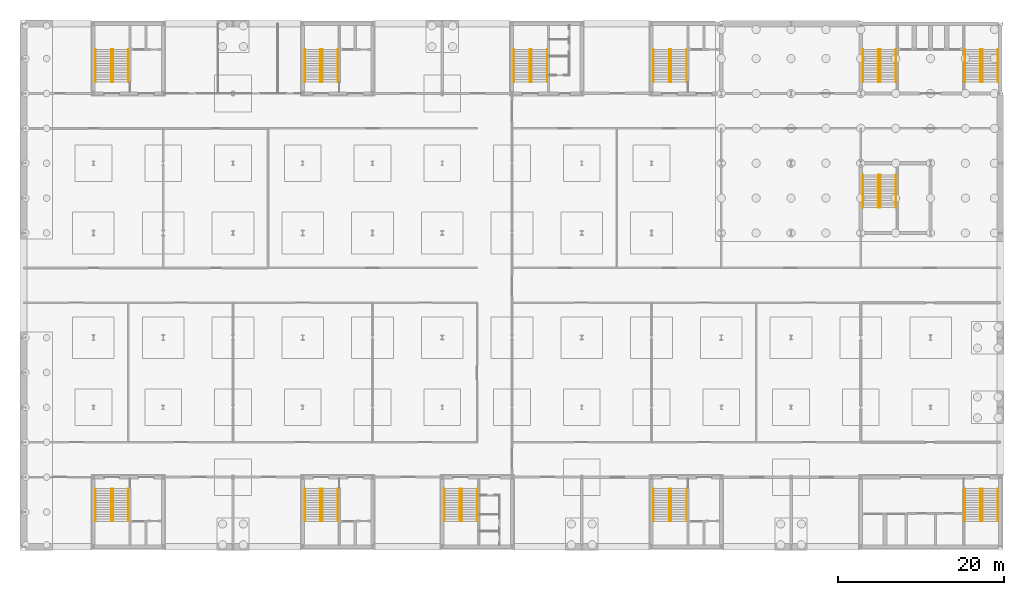
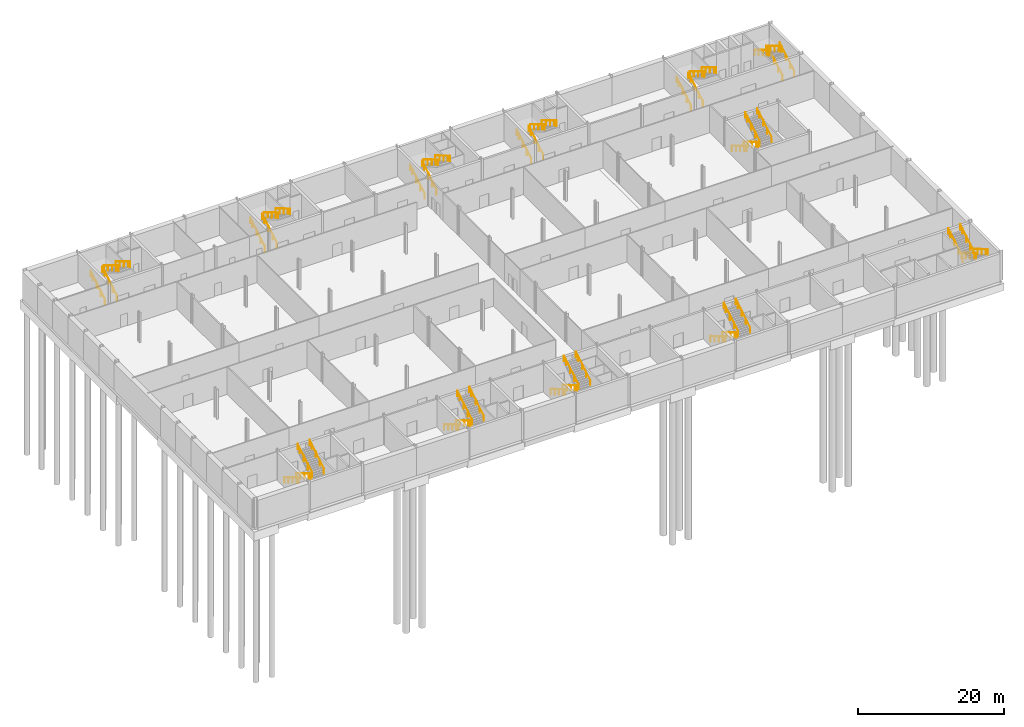
# One storey, part 22 of 22: 48 railings.
"""IFC4 building model written with IfcOpenShell, lengths in metres."""

from ifc_helpers import new_model, si_unit, direction, frame, origin, origin_2d, place, context, subcontext, project, spatial, circle, extrude, material, type_object, element, save


model = new_model("IFC4")

# Units and contexts
model_context = context("Model", 3, precision=1e-05, world=origin(), true_north=direction((0.0, 1.0)))
body_context = subcontext(model_context, "Body", "Model", "MODEL_VIEW")
ifc_project = project(units=[si_unit("LENGTHUNIT", "METRE"), si_unit("AREAUNIT", "SQUARE_METRE"), si_unit("VOLUMEUNIT", "CUBIC_METRE"), si_unit("PLANEANGLEUNIT", "RADIAN"), si_unit("MASSUNIT", "GRAM", prefix="KILO")], contexts=[model_context])

# Site, building, storey
site_placement = place(None, origin())
site = spatial("IfcSite", under=ifc_project, at=site_placement, CompositionType="ELEMENT")
building_placement = place(site_placement, origin())
building = spatial("IfcBuilding", under=site, at=building_placement, Name="Galleria Vessillo Department Store", CompositionType="ELEMENT")
storey_placement = place(building_placement, frame((0.0, 0.0, -9.89990234375)))
storey = spatial("IfcBuildingStorey", under=building, at=storey_placement, Name="B2", CompositionType="ELEMENT", Elevation=-9.89990234375)

# Railings
ifc_material = material(Name="Stainless steel tube", Category="steel")
railing_type = type_object("IfcRailingType", Name="Stair handrail steel tube 48 mm", PredefinedType="HANDRAIL", material=ifc_material)
for number, where, name in (
    (1, (10.5400390625, 7.0, 0.166748046875), "Handrail ST1 B2 flight 1A"),
    (2, (8.66015625, 7.0, 0.166748046875), "Handrail ST1 B2 flight 1B"),
):
    element("IfcRailing", number, at=place(storey_placement, frame(where)), inside=storey, type_object=railing_type, Name=name, PredefinedType="HANDRAIL", context=body_context, shape_type="SweptSolid", body=[
        extrude(circle(Radius=0.02392578125, at=origin_2d()), frame((0.0, 0.0, 0.89599609375), z_axis=(0.0, -0.859371278866, 0.511352134112), x_axis=(1.0, 0.0, 0.0)), (0.0, 0.0, 1.0), 1.303466796875),
        extrude(circle(Radius=0.02392578125, at=origin_2d()), frame((0.0, -1.1201171875, 1.5625), z_axis=(0.0, -0.859239953289, 0.511572773584), x_axis=(1.0, 0.0, 0.0)), (0.0, 0.0, 1.0), 1.30322265625),
        extrude(circle(Radius=0.02392578125, at=origin_2d()), frame((0.0, -2.239990234375, 2.22900390625), z_axis=(0.0, -0.859288964532, 0.511490445104), x_axis=(1.0, 0.0, 0.0)), (0.0, 0.0, 1.0), 1.303466796875),
        extrude(circle(Radius=0.02392578125, at=origin_2d()), frame((0.0, -3.360107421875, 2.89599609375), z_axis=(0.0, -0.859273276328, 0.511516799908), x_axis=(1.0, 0.0, 0.0)), (0.0, 0.0, 1.0), 0.651611328125),
        extrude(circle(Radius=0.02099609375, at=origin_2d()), origin(), (0.0, 0.0, 1.0), 0.871826171875),
        extrude(circle(Radius=0.02099609375, at=origin_2d()), frame((0.0, -1.1201171875, 0.66650390625)), (0.0, 0.0, 1.0), 0.871826171875),
        extrude(circle(Radius=0.02099609375, at=origin_2d()), frame((0.0, -2.239990234375, 1.333251953125)), (0.0, 0.0, 1.0), 0.871826171875),
        extrude(circle(Radius=0.02099609375, at=origin_2d()), frame((0.0, -3.360107421875, 2.0)), (0.0, 0.0, 1.0), 0.871826171875),
        extrude(circle(Radius=0.02099609375, at=origin_2d()), frame((0.0, -3.919921875, 2.333251953125)), (0.0, 0.0, 1.0), 0.871826171875),
    ])
for number, where, name in (
    (3, (10.760009765625, 3.080078125, 2.666748046875), "Handrail ST1 B2 flight 2A"),
    (4, (12.639892578125, 3.080078125, 2.666748046875), "Handrail ST1 B2 flight 2B"),
    (5, (8.66015625, 56.0, 0.166748046875), "Handrail ST2 B2 flight 1A"),
    (6, (10.5400390625, 56.0, 0.166748046875), "Handrail ST2 B2 flight 1B"),
):
    element("IfcRailing", number, at=place(storey_placement, frame(where)), inside=storey, type_object=railing_type, Name=name, PredefinedType="HANDRAIL", context=body_context, shape_type="SweptSolid", body=[
        extrude(circle(Radius=0.02392578125, at=origin_2d()), frame((0.0, 0.0, 0.89599609375), z_axis=(0.0, 0.859371278866, 0.511352134112), x_axis=(-1.0, 0.0, 0.0)), (0.0, 0.0, 1.0), 1.303466796875),
        extrude(circle(Radius=0.02392578125, at=origin_2d()), frame((0.0, 1.1201171875, 1.5625), z_axis=(0.0, 0.859239953289, 0.511572773584), x_axis=(-1.0, 0.0, 0.0)), (0.0, 0.0, 1.0), 1.30322265625),
        extrude(circle(Radius=0.02392578125, at=origin_2d()), frame((0.0, 2.239990234375, 2.22900390625), z_axis=(0.0, 0.859288964532, 0.511490445104), x_axis=(-1.0, 0.0, 0.0)), (0.0, 0.0, 1.0), 1.303466796875),
        extrude(circle(Radius=0.02392578125, at=origin_2d()), frame((0.0, 3.360107421875, 2.89599609375), z_axis=(0.0, 0.859273276328, 0.511516799908), x_axis=(-1.0, 0.0, 0.0)), (0.0, 0.0, 1.0), 0.651611328125),
        extrude(circle(Radius=0.02099609375, at=origin_2d()), origin(), (0.0, 0.0, 1.0), 0.871826171875),
        extrude(circle(Radius=0.02099609375, at=origin_2d()), frame((0.0, 1.1201171875, 0.66650390625)), (0.0, 0.0, 1.0), 0.871826171875),
        extrude(circle(Radius=0.02099609375, at=origin_2d()), frame((0.0, 2.239990234375, 1.333251953125)), (0.0, 0.0, 1.0), 0.871826171875),
        extrude(circle(Radius=0.02099609375, at=origin_2d()), frame((0.0, 3.360107421875, 2.0)), (0.0, 0.0, 1.0), 0.871826171875),
        extrude(circle(Radius=0.02099609375, at=origin_2d()), frame((0.0, 3.919921875, 2.333251953125)), (0.0, 0.0, 1.0), 0.871826171875),
    ])
for number, where, name in (
    (7, (12.639892578125, 59.919921875, 2.666748046875), "Handrail ST2 B2 flight 2A"),
    (8, (10.760009765625, 59.919921875, 2.666748046875), "Handrail ST2 B2 flight 2B"),
    (9, (35.739990234375, 7.0, 0.166748046875), "Handrail ST3 B2 flight 1A"),
    (10, (33.860107421875, 7.0, 0.166748046875), "Handrail ST3 B2 flight 1B"),
):
    element("IfcRailing", number, at=place(storey_placement, frame(where)), inside=storey, type_object=railing_type, Name=name, PredefinedType="HANDRAIL", context=body_context, shape_type="SweptSolid", body=[
        extrude(circle(Radius=0.02392578125, at=origin_2d()), frame((0.0, 0.0, 0.89599609375), z_axis=(0.0, -0.859371278866, 0.511352134112), x_axis=(1.0, 0.0, 0.0)), (0.0, 0.0, 1.0), 1.303466796875),
        extrude(circle(Radius=0.02392578125, at=origin_2d()), frame((0.0, -1.1201171875, 1.5625), z_axis=(0.0, -0.859239953289, 0.511572773584), x_axis=(1.0, 0.0, 0.0)), (0.0, 0.0, 1.0), 1.30322265625),
        extrude(circle(Radius=0.02392578125, at=origin_2d()), frame((0.0, -2.239990234375, 2.22900390625), z_axis=(0.0, -0.859288964532, 0.511490445104), x_axis=(1.0, 0.0, 0.0)), (0.0, 0.0, 1.0), 1.303466796875),
        extrude(circle(Radius=0.02392578125, at=origin_2d()), frame((0.0, -3.360107421875, 2.89599609375), z_axis=(0.0, -0.859273276328, 0.511516799908), x_axis=(1.0, 0.0, 0.0)), (0.0, 0.0, 1.0), 0.651611328125),
        extrude(circle(Radius=0.02099609375, at=origin_2d()), origin(), (0.0, 0.0, 1.0), 0.871826171875),
        extrude(circle(Radius=0.02099609375, at=origin_2d()), frame((0.0, -1.1201171875, 0.66650390625)), (0.0, 0.0, 1.0), 0.871826171875),
        extrude(circle(Radius=0.02099609375, at=origin_2d()), frame((0.0, -2.239990234375, 1.333251953125)), (0.0, 0.0, 1.0), 0.871826171875),
        extrude(circle(Radius=0.02099609375, at=origin_2d()), frame((0.0, -3.360107421875, 2.0)), (0.0, 0.0, 1.0), 0.871826171875),
        extrude(circle(Radius=0.02099609375, at=origin_2d()), frame((0.0, -3.919921875, 2.333251953125)), (0.0, 0.0, 1.0), 0.871826171875),
    ])
for number, where, name in (
    (11, (35.9599609375, 3.080078125, 2.666748046875), "Handrail ST3 B2 flight 2A"),
    (12, (37.83984375, 3.080078125, 2.666748046875), "Handrail ST3 B2 flight 2B"),
    (13, (33.860107421875, 56.0, 0.166748046875), "Handrail ST4 B2 flight 1A"),
    (14, (35.739990234375, 56.0, 0.166748046875), "Handrail ST4 B2 flight 1B"),
):
    element("IfcRailing", number, at=place(storey_placement, frame(where)), inside=storey, type_object=railing_type, Name=name, PredefinedType="HANDRAIL", context=body_context, shape_type="SweptSolid", body=[
        extrude(circle(Radius=0.02392578125, at=origin_2d()), frame((0.0, 0.0, 0.89599609375), z_axis=(0.0, 0.859371278866, 0.511352134112), x_axis=(-1.0, 0.0, 0.0)), (0.0, 0.0, 1.0), 1.303466796875),
        extrude(circle(Radius=0.02392578125, at=origin_2d()), frame((0.0, 1.1201171875, 1.5625), z_axis=(0.0, 0.859239953289, 0.511572773584), x_axis=(-1.0, 0.0, 0.0)), (0.0, 0.0, 1.0), 1.30322265625),
        extrude(circle(Radius=0.02392578125, at=origin_2d()), frame((0.0, 2.239990234375, 2.22900390625), z_axis=(0.0, 0.859288964532, 0.511490445104), x_axis=(-1.0, 0.0, 0.0)), (0.0, 0.0, 1.0), 1.303466796875),
        extrude(circle(Radius=0.02392578125, at=origin_2d()), frame((0.0, 3.360107421875, 2.89599609375), z_axis=(0.0, 0.859273276328, 0.511516799908), x_axis=(-1.0, 0.0, 0.0)), (0.0, 0.0, 1.0), 0.651611328125),
        extrude(circle(Radius=0.02099609375, at=origin_2d()), origin(), (0.0, 0.0, 1.0), 0.871826171875),
        extrude(circle(Radius=0.02099609375, at=origin_2d()), frame((0.0, 1.1201171875, 0.66650390625)), (0.0, 0.0, 1.0), 0.871826171875),
        extrude(circle(Radius=0.02099609375, at=origin_2d()), frame((0.0, 2.239990234375, 1.333251953125)), (0.0, 0.0, 1.0), 0.871826171875),
        extrude(circle(Radius=0.02099609375, at=origin_2d()), frame((0.0, 3.360107421875, 2.0)), (0.0, 0.0, 1.0), 0.871826171875),
        extrude(circle(Radius=0.02099609375, at=origin_2d()), frame((0.0, 3.919921875, 2.333251953125)), (0.0, 0.0, 1.0), 0.871826171875),
    ])
for number, where, name in (
    (15, (37.83984375, 59.919921875, 2.666748046875), "Handrail ST4 B2 flight 2A"),
    (16, (35.9599609375, 59.919921875, 2.666748046875), "Handrail ST4 B2 flight 2B"),
    (17, (77.739990234375, 7.0, 0.166748046875), "Handrail ST5 B2 flight 1A"),
    (18, (75.860107421875, 7.0, 0.166748046875), "Handrail ST5 B2 flight 1B"),
):
    element("IfcRailing", number, at=place(storey_placement, frame(where)), inside=storey, type_object=railing_type, Name=name, PredefinedType="HANDRAIL", context=body_context, shape_type="SweptSolid", body=[
        extrude(circle(Radius=0.02392578125, at=origin_2d()), frame((0.0, 0.0, 0.89599609375), z_axis=(0.0, -0.859371278866, 0.511352134112), x_axis=(1.0, 0.0, 0.0)), (0.0, 0.0, 1.0), 1.303466796875),
        extrude(circle(Radius=0.02392578125, at=origin_2d()), frame((0.0, -1.1201171875, 1.5625), z_axis=(0.0, -0.859239953289, 0.511572773584), x_axis=(1.0, 0.0, 0.0)), (0.0, 0.0, 1.0), 1.30322265625),
        extrude(circle(Radius=0.02392578125, at=origin_2d()), frame((0.0, -2.239990234375, 2.22900390625), z_axis=(0.0, -0.859288964532, 0.511490445104), x_axis=(1.0, 0.0, 0.0)), (0.0, 0.0, 1.0), 1.303466796875),
        extrude(circle(Radius=0.02392578125, at=origin_2d()), frame((0.0, -3.360107421875, 2.89599609375), z_axis=(0.0, -0.859273276328, 0.511516799908), x_axis=(1.0, 0.0, 0.0)), (0.0, 0.0, 1.0), 0.651611328125),
        extrude(circle(Radius=0.02099609375, at=origin_2d()), origin(), (0.0, 0.0, 1.0), 0.871826171875),
        extrude(circle(Radius=0.02099609375, at=origin_2d()), frame((0.0, -1.1201171875, 0.66650390625)), (0.0, 0.0, 1.0), 0.871826171875),
        extrude(circle(Radius=0.02099609375, at=origin_2d()), frame((0.0, -2.239990234375, 1.333251953125)), (0.0, 0.0, 1.0), 0.871826171875),
        extrude(circle(Radius=0.02099609375, at=origin_2d()), frame((0.0, -3.360107421875, 2.0)), (0.0, 0.0, 1.0), 0.871826171875),
        extrude(circle(Radius=0.02099609375, at=origin_2d()), frame((0.0, -3.919921875, 2.333251953125)), (0.0, 0.0, 1.0), 0.871826171875),
    ])
for number, where, name in (
    (19, (77.9599609375, 3.080078125, 2.666748046875), "Handrail ST5 B2 flight 2A"),
    (20, (79.83984375, 3.080078125, 2.666748046875), "Handrail ST5 B2 flight 2B"),
    (21, (75.860107421875, 56.0, 0.166748046875), "Handrail ST6 B2 flight 1A"),
    (22, (77.739990234375, 56.0, 0.166748046875), "Handrail ST6 B2 flight 1B"),
):
    element("IfcRailing", number, at=place(storey_placement, frame(where)), inside=storey, type_object=railing_type, Name=name, PredefinedType="HANDRAIL", context=body_context, shape_type="SweptSolid", body=[
        extrude(circle(Radius=0.02392578125, at=origin_2d()), frame((0.0, 0.0, 0.89599609375), z_axis=(0.0, 0.859371278866, 0.511352134112), x_axis=(-1.0, 0.0, 0.0)), (0.0, 0.0, 1.0), 1.303466796875),
        extrude(circle(Radius=0.02392578125, at=origin_2d()), frame((0.0, 1.1201171875, 1.5625), z_axis=(0.0, 0.859239953289, 0.511572773584), x_axis=(-1.0, 0.0, 0.0)), (0.0, 0.0, 1.0), 1.30322265625),
        extrude(circle(Radius=0.02392578125, at=origin_2d()), frame((0.0, 2.239990234375, 2.22900390625), z_axis=(0.0, 0.859288964532, 0.511490445104), x_axis=(-1.0, 0.0, 0.0)), (0.0, 0.0, 1.0), 1.303466796875),
        extrude(circle(Radius=0.02392578125, at=origin_2d()), frame((0.0, 3.360107421875, 2.89599609375), z_axis=(0.0, 0.859273276328, 0.511516799908), x_axis=(-1.0, 0.0, 0.0)), (0.0, 0.0, 1.0), 0.651611328125),
        extrude(circle(Radius=0.02099609375, at=origin_2d()), origin(), (0.0, 0.0, 1.0), 0.871826171875),
        extrude(circle(Radius=0.02099609375, at=origin_2d()), frame((0.0, 1.1201171875, 0.66650390625)), (0.0, 0.0, 1.0), 0.871826171875),
        extrude(circle(Radius=0.02099609375, at=origin_2d()), frame((0.0, 2.239990234375, 1.333251953125)), (0.0, 0.0, 1.0), 0.871826171875),
        extrude(circle(Radius=0.02099609375, at=origin_2d()), frame((0.0, 3.360107421875, 2.0)), (0.0, 0.0, 1.0), 0.871826171875),
        extrude(circle(Radius=0.02099609375, at=origin_2d()), frame((0.0, 3.919921875, 2.333251953125)), (0.0, 0.0, 1.0), 0.871826171875),
    ])
for number, where, name in (
    (23, (79.83984375, 59.919921875, 2.666748046875), "Handrail ST6 B2 flight 2A"),
    (24, (77.9599609375, 59.919921875, 2.666748046875), "Handrail ST6 B2 flight 2B"),
    (25, (52.5400390625, 7.0, 0.166748046875), "Handrail ST10 B2 flight 1A"),
    (26, (50.66015625, 7.0, 0.166748046875), "Handrail ST10 B2 flight 1B"),
):
    element("IfcRailing", number, at=place(storey_placement, frame(where)), inside=storey, type_object=railing_type, Name=name, PredefinedType="HANDRAIL", context=body_context, shape_type="SweptSolid", body=[
        extrude(circle(Radius=0.02392578125, at=origin_2d()), frame((0.0, 0.0, 0.89599609375), z_axis=(0.0, -0.859371278866, 0.511352134112), x_axis=(1.0, 0.0, 0.0)), (0.0, 0.0, 1.0), 1.303466796875),
        extrude(circle(Radius=0.02392578125, at=origin_2d()), frame((0.0, -1.1201171875, 1.5625), z_axis=(0.0, -0.859239953289, 0.511572773584), x_axis=(1.0, 0.0, 0.0)), (0.0, 0.0, 1.0), 1.30322265625),
        extrude(circle(Radius=0.02392578125, at=origin_2d()), frame((0.0, -2.239990234375, 2.22900390625), z_axis=(0.0, -0.859288964532, 0.511490445104), x_axis=(1.0, 0.0, 0.0)), (0.0, 0.0, 1.0), 1.303466796875),
        extrude(circle(Radius=0.02392578125, at=origin_2d()), frame((0.0, -3.360107421875, 2.89599609375), z_axis=(0.0, -0.859273276328, 0.511516799908), x_axis=(1.0, 0.0, 0.0)), (0.0, 0.0, 1.0), 0.651611328125),
        extrude(circle(Radius=0.02099609375, at=origin_2d()), origin(), (0.0, 0.0, 1.0), 0.871826171875),
        extrude(circle(Radius=0.02099609375, at=origin_2d()), frame((0.0, -1.1201171875, 0.66650390625)), (0.0, 0.0, 1.0), 0.871826171875),
        extrude(circle(Radius=0.02099609375, at=origin_2d()), frame((0.0, -2.239990234375, 1.333251953125)), (0.0, 0.0, 1.0), 0.871826171875),
        extrude(circle(Radius=0.02099609375, at=origin_2d()), frame((0.0, -3.360107421875, 2.0)), (0.0, 0.0, 1.0), 0.871826171875),
        extrude(circle(Radius=0.02099609375, at=origin_2d()), frame((0.0, -3.919921875, 2.333251953125)), (0.0, 0.0, 1.0), 0.871826171875),
    ])
for number, where, name in (
    (27, (52.760009765625, 3.080078125, 2.666748046875), "Handrail ST10 B2 flight 2A"),
    (28, (54.639892578125, 3.080078125, 2.666748046875), "Handrail ST10 B2 flight 2B"),
    (29, (59.06005859375, 56.0, 0.166748046875), "Handrail ST11 B2 flight 1A"),
    (30, (60.93994140625, 56.0, 0.166748046875), "Handrail ST11 B2 flight 1B"),
):
    element("IfcRailing", number, at=place(storey_placement, frame(where)), inside=storey, type_object=railing_type, Name=name, PredefinedType="HANDRAIL", context=body_context, shape_type="SweptSolid", body=[
        extrude(circle(Radius=0.02392578125, at=origin_2d()), frame((0.0, 0.0, 0.89599609375), z_axis=(0.0, 0.859371278866, 0.511352134112), x_axis=(-1.0, 0.0, 0.0)), (0.0, 0.0, 1.0), 1.303466796875),
        extrude(circle(Radius=0.02392578125, at=origin_2d()), frame((0.0, 1.1201171875, 1.5625), z_axis=(0.0, 0.859239953289, 0.511572773584), x_axis=(-1.0, 0.0, 0.0)), (0.0, 0.0, 1.0), 1.30322265625),
        extrude(circle(Radius=0.02392578125, at=origin_2d()), frame((0.0, 2.239990234375, 2.22900390625), z_axis=(0.0, 0.859288964532, 0.511490445104), x_axis=(-1.0, 0.0, 0.0)), (0.0, 0.0, 1.0), 1.303466796875),
        extrude(circle(Radius=0.02392578125, at=origin_2d()), frame((0.0, 3.360107421875, 2.89599609375), z_axis=(0.0, 0.859273276328, 0.511516799908), x_axis=(-1.0, 0.0, 0.0)), (0.0, 0.0, 1.0), 0.651611328125),
        extrude(circle(Radius=0.02099609375, at=origin_2d()), origin(), (0.0, 0.0, 1.0), 0.871826171875),
        extrude(circle(Radius=0.02099609375, at=origin_2d()), frame((0.0, 1.1201171875, 0.66650390625)), (0.0, 0.0, 1.0), 0.871826171875),
        extrude(circle(Radius=0.02099609375, at=origin_2d()), frame((0.0, 2.239990234375, 1.333251953125)), (0.0, 0.0, 1.0), 0.871826171875),
        extrude(circle(Radius=0.02099609375, at=origin_2d()), frame((0.0, 3.360107421875, 2.0)), (0.0, 0.0, 1.0), 0.871826171875),
        extrude(circle(Radius=0.02099609375, at=origin_2d()), frame((0.0, 3.919921875, 2.333251953125)), (0.0, 0.0, 1.0), 0.871826171875),
    ])
for number, where, name in (
    (31, (63.0400390625, 59.919921875, 2.666748046875), "Handrail ST11 B2 flight 2A"),
    (32, (61.16015625, 59.919921875, 2.666748046875), "Handrail ST11 B2 flight 2B"),
    (33, (117.33984375, 7.0, 0.166748046875), "Handrail ST7 B2 flight 1A"),
    (34, (115.4599609375, 7.0, 0.166748046875), "Handrail ST7 B2 flight 1B"),
):
    element("IfcRailing", number, at=place(storey_placement, frame(where)), inside=storey, type_object=railing_type, Name=name, PredefinedType="HANDRAIL", context=body_context, shape_type="SweptSolid", body=[
        extrude(circle(Radius=0.02392578125, at=origin_2d()), frame((0.0, 0.0, 0.89599609375), z_axis=(0.0, -0.859371278866, 0.511352134112), x_axis=(1.0, 0.0, 0.0)), (0.0, 0.0, 1.0), 1.303466796875),
        extrude(circle(Radius=0.02392578125, at=origin_2d()), frame((0.0, -1.1201171875, 1.5625), z_axis=(0.0, -0.859239953289, 0.511572773584), x_axis=(1.0, 0.0, 0.0)), (0.0, 0.0, 1.0), 1.30322265625),
        extrude(circle(Radius=0.02392578125, at=origin_2d()), frame((0.0, -2.239990234375, 2.22900390625), z_axis=(0.0, -0.859288964532, 0.511490445104), x_axis=(1.0, 0.0, 0.0)), (0.0, 0.0, 1.0), 1.303466796875),
        extrude(circle(Radius=0.02392578125, at=origin_2d()), frame((0.0, -3.360107421875, 2.89599609375), z_axis=(0.0, -0.859273276328, 0.511516799908), x_axis=(1.0, 0.0, 0.0)), (0.0, 0.0, 1.0), 0.651611328125),
        extrude(circle(Radius=0.02099609375, at=origin_2d()), origin(), (0.0, 0.0, 1.0), 0.871826171875),
        extrude(circle(Radius=0.02099609375, at=origin_2d()), frame((0.0, -1.1201171875, 0.66650390625)), (0.0, 0.0, 1.0), 0.871826171875),
        extrude(circle(Radius=0.02099609375, at=origin_2d()), frame((0.0, -2.239990234375, 1.333251953125)), (0.0, 0.0, 1.0), 0.871826171875),
        extrude(circle(Radius=0.02099609375, at=origin_2d()), frame((0.0, -3.360107421875, 2.0)), (0.0, 0.0, 1.0), 0.871826171875),
        extrude(circle(Radius=0.02099609375, at=origin_2d()), frame((0.0, -3.919921875, 2.333251953125)), (0.0, 0.0, 1.0), 0.871826171875),
    ])
for number, where, name in (
    (35, (113.360107421875, 3.080078125, 2.666748046875), "Handrail ST7 B2 flight 2A"),
    (36, (115.239990234375, 3.080078125, 2.666748046875), "Handrail ST7 B2 flight 2B"),
    (37, (101.06005859375, 56.0, 0.166748046875), "Handrail ST8 B2 flight 1A"),
    (38, (102.93994140625, 56.0, 0.166748046875), "Handrail ST8 B2 flight 1B"),
):
    element("IfcRailing", number, at=place(storey_placement, frame(where)), inside=storey, type_object=railing_type, Name=name, PredefinedType="HANDRAIL", context=body_context, shape_type="SweptSolid", body=[
        extrude(circle(Radius=0.02392578125, at=origin_2d()), frame((0.0, 0.0, 0.89599609375), z_axis=(0.0, 0.859371278866, 0.511352134112), x_axis=(-1.0, 0.0, 0.0)), (0.0, 0.0, 1.0), 1.303466796875),
        extrude(circle(Radius=0.02392578125, at=origin_2d()), frame((0.0, 1.1201171875, 1.5625), z_axis=(0.0, 0.859239953289, 0.511572773584), x_axis=(-1.0, 0.0, 0.0)), (0.0, 0.0, 1.0), 1.30322265625),
        extrude(circle(Radius=0.02392578125, at=origin_2d()), frame((0.0, 2.239990234375, 2.22900390625), z_axis=(0.0, 0.859288964532, 0.511490445104), x_axis=(-1.0, 0.0, 0.0)), (0.0, 0.0, 1.0), 1.303466796875),
        extrude(circle(Radius=0.02392578125, at=origin_2d()), frame((0.0, 3.360107421875, 2.89599609375), z_axis=(0.0, 0.859273276328, 0.511516799908), x_axis=(-1.0, 0.0, 0.0)), (0.0, 0.0, 1.0), 0.651611328125),
        extrude(circle(Radius=0.02099609375, at=origin_2d()), origin(), (0.0, 0.0, 1.0), 0.871826171875),
        extrude(circle(Radius=0.02099609375, at=origin_2d()), frame((0.0, 1.1201171875, 0.66650390625)), (0.0, 0.0, 1.0), 0.871826171875),
        extrude(circle(Radius=0.02099609375, at=origin_2d()), frame((0.0, 2.239990234375, 1.333251953125)), (0.0, 0.0, 1.0), 0.871826171875),
        extrude(circle(Radius=0.02099609375, at=origin_2d()), frame((0.0, 3.360107421875, 2.0)), (0.0, 0.0, 1.0), 0.871826171875),
        extrude(circle(Radius=0.02099609375, at=origin_2d()), frame((0.0, 3.919921875, 2.333251953125)), (0.0, 0.0, 1.0), 0.871826171875),
    ])
for number, where, name in (
    (39, (105.0400390625, 59.919921875, 2.666748046875), "Handrail ST8 B2 flight 2A"),
    (40, (103.16015625, 59.919921875, 2.666748046875), "Handrail ST8 B2 flight 2B"),
):
    element("IfcRailing", number, at=place(storey_placement, frame(where)), inside=storey, type_object=railing_type, Name=name, PredefinedType="HANDRAIL", context=body_context, shape_type="SweptSolid", body=[
        extrude(circle(Radius=0.02392578125, at=origin_2d()), frame((0.0, 0.0, 0.89599609375), z_axis=(0.0, -0.859371278866, 0.511352134112), x_axis=(1.0, 0.0, 0.0)), (0.0, 0.0, 1.0), 1.303466796875),
        extrude(circle(Radius=0.02392578125, at=origin_2d()), frame((0.0, -1.1201171875, 1.5625), z_axis=(0.0, -0.859239953289, 0.511572773584), x_axis=(1.0, 0.0, 0.0)), (0.0, 0.0, 1.0), 1.30322265625),
        extrude(circle(Radius=0.02392578125, at=origin_2d()), frame((0.0, -2.239990234375, 2.22900390625), z_axis=(0.0, -0.859288964532, 0.511490445104), x_axis=(1.0, 0.0, 0.0)), (0.0, 0.0, 1.0), 1.303466796875),
        extrude(circle(Radius=0.02392578125, at=origin_2d()), frame((0.0, -3.360107421875, 2.89599609375), z_axis=(0.0, -0.859273276328, 0.511516799908), x_axis=(1.0, 0.0, 0.0)), (0.0, 0.0, 1.0), 0.651611328125),
        extrude(circle(Radius=0.02099609375, at=origin_2d()), origin(), (0.0, 0.0, 1.0), 0.871826171875),
        extrude(circle(Radius=0.02099609375, at=origin_2d()), frame((0.0, -1.1201171875, 0.66650390625)), (0.0, 0.0, 1.0), 0.871826171875),
        extrude(circle(Radius=0.02099609375, at=origin_2d()), frame((0.0, -2.239990234375, 1.333251953125)), (0.0, 0.0, 1.0), 0.871826171875),
        extrude(circle(Radius=0.02099609375, at=origin_2d()), frame((0.0, -3.360107421875, 2.0)), (0.0, 0.0, 1.0), 0.871826171875),
        extrude(circle(Radius=0.02099609375, at=origin_2d()), frame((0.0, -3.919921875, 2.333251953125)), (0.0, 0.0, 1.0), 0.871826171875),
    ])
for number, where, name in (
    (41, (115.4599609375, 56.0, 0.166748046875), "Handrail ST9 B2 flight 1A"),
    (42, (117.33984375, 56.0, 0.166748046875), "Handrail ST9 B2 flight 1B"),
):
    element("IfcRailing", number, at=place(storey_placement, frame(where)), inside=storey, type_object=railing_type, Name=name, PredefinedType="HANDRAIL", context=body_context, shape_type="SweptSolid", body=[
        extrude(circle(Radius=0.02392578125, at=origin_2d()), frame((0.0, 0.0, 0.89599609375), z_axis=(0.0, 0.859371278866, 0.511352134112), x_axis=(-1.0, 0.0, 0.0)), (0.0, 0.0, 1.0), 1.303466796875),
        extrude(circle(Radius=0.02392578125, at=origin_2d()), frame((0.0, 1.1201171875, 1.5625), z_axis=(0.0, 0.859239953289, 0.511572773584), x_axis=(-1.0, 0.0, 0.0)), (0.0, 0.0, 1.0), 1.30322265625),
        extrude(circle(Radius=0.02392578125, at=origin_2d()), frame((0.0, 2.239990234375, 2.22900390625), z_axis=(0.0, 0.859288964532, 0.511490445104), x_axis=(-1.0, 0.0, 0.0)), (0.0, 0.0, 1.0), 1.303466796875),
        extrude(circle(Radius=0.02392578125, at=origin_2d()), frame((0.0, 3.360107421875, 2.89599609375), z_axis=(0.0, 0.859273276328, 0.511516799908), x_axis=(-1.0, 0.0, 0.0)), (0.0, 0.0, 1.0), 0.651611328125),
        extrude(circle(Radius=0.02099609375, at=origin_2d()), origin(), (0.0, 0.0, 1.0), 0.871826171875),
        extrude(circle(Radius=0.02099609375, at=origin_2d()), frame((0.0, 1.1201171875, 0.66650390625)), (0.0, 0.0, 1.0), 0.871826171875),
        extrude(circle(Radius=0.02099609375, at=origin_2d()), frame((0.0, 2.239990234375, 1.333251953125)), (0.0, 0.0, 1.0), 0.871826171875),
        extrude(circle(Radius=0.02099609375, at=origin_2d()), frame((0.0, 3.360107421875, 2.0)), (0.0, 0.0, 1.0), 0.871826171875),
        extrude(circle(Radius=0.02099609375, at=origin_2d()), frame((0.0, 3.919921875, 2.333251953125)), (0.0, 0.0, 1.0), 0.871826171875),
    ])
for number, where, name in (
    (43, (115.239990234375, 59.919921875, 2.666748046875), "Handrail ST9 B2 flight 2A"),
    (44, (113.360107421875, 59.919921875, 2.666748046875), "Handrail ST9 B2 flight 2B"),
    (45, (102.93994140625, 44.800048828125, 0.166748046875), "Handrail ST12 B2 flight 1A"),
    (46, (101.06005859375, 44.800048828125, 0.166748046875), "Handrail ST12 B2 flight 1B"),
):
    element("IfcRailing", number, at=place(storey_placement, frame(where)), inside=storey, type_object=railing_type, Name=name, PredefinedType="HANDRAIL", context=body_context, shape_type="SweptSolid", body=[
        extrude(circle(Radius=0.02392578125, at=origin_2d()), frame((0.0, 0.0, 0.89599609375), z_axis=(0.0, -0.859371278866, 0.511352134112), x_axis=(1.0, 0.0, 0.0)), (0.0, 0.0, 1.0), 1.303466796875),
        extrude(circle(Radius=0.02392578125, at=origin_2d()), frame((0.0, -1.1201171875, 1.5625), z_axis=(0.0, -0.859239953289, 0.511572773584), x_axis=(1.0, 0.0, 0.0)), (0.0, 0.0, 1.0), 1.30322265625),
        extrude(circle(Radius=0.02392578125, at=origin_2d()), frame((0.0, -2.239990234375, 2.22900390625), z_axis=(0.0, -0.859288964532, 0.511490445104), x_axis=(1.0, 0.0, 0.0)), (0.0, 0.0, 1.0), 1.303466796875),
        extrude(circle(Radius=0.02392578125, at=origin_2d()), frame((0.0, -3.360107421875, 2.89599609375), z_axis=(0.0, -0.859273276328, 0.511516799908), x_axis=(1.0, 0.0, 0.0)), (0.0, 0.0, 1.0), 0.651611328125),
        extrude(circle(Radius=0.02099609375, at=origin_2d()), origin(), (0.0, 0.0, 1.0), 0.871826171875),
        extrude(circle(Radius=0.02099609375, at=origin_2d()), frame((0.0, -1.1201171875, 0.66650390625)), (0.0, 0.0, 1.0), 0.871826171875),
        extrude(circle(Radius=0.02099609375, at=origin_2d()), frame((0.0, -2.239990234375, 1.333251953125)), (0.0, 0.0, 1.0), 0.871826171875),
        extrude(circle(Radius=0.02099609375, at=origin_2d()), frame((0.0, -3.360107421875, 2.0)), (0.0, 0.0, 1.0), 0.871826171875),
        extrude(circle(Radius=0.02099609375, at=origin_2d()), frame((0.0, -3.919921875, 2.333251953125)), (0.0, 0.0, 1.0), 0.871826171875),
    ])
for number, where, name in (
    (47, (103.16015625, 40.8798828125, 2.666748046875), "Handrail ST12 B2 flight 2A"),
    (48, (105.0400390625, 40.8798828125, 2.666748046875), "Handrail ST12 B2 flight 2B"),
):
    element("IfcRailing", number, at=place(storey_placement, frame(where)), inside=storey, type_object=railing_type, Name=name, PredefinedType="HANDRAIL", context=body_context, shape_type="SweptSolid", body=[
        extrude(circle(Radius=0.02392578125, at=origin_2d()), frame((0.0, 0.0, 0.89599609375), z_axis=(0.0, 0.859371278866, 0.511352134112), x_axis=(-1.0, 0.0, 0.0)), (0.0, 0.0, 1.0), 1.303466796875),
        extrude(circle(Radius=0.02392578125, at=origin_2d()), frame((0.0, 1.1201171875, 1.5625), z_axis=(0.0, 0.859239953289, 0.511572773584), x_axis=(-1.0, 0.0, 0.0)), (0.0, 0.0, 1.0), 1.30322265625),
        extrude(circle(Radius=0.02392578125, at=origin_2d()), frame((0.0, 2.239990234375, 2.22900390625), z_axis=(0.0, 0.859288964532, 0.511490445104), x_axis=(-1.0, 0.0, 0.0)), (0.0, 0.0, 1.0), 1.303466796875),
        extrude(circle(Radius=0.02392578125, at=origin_2d()), frame((0.0, 3.360107421875, 2.89599609375), z_axis=(0.0, 0.859273276328, 0.511516799908), x_axis=(-1.0, 0.0, 0.0)), (0.0, 0.0, 1.0), 0.651611328125),
        extrude(circle(Radius=0.02099609375, at=origin_2d()), origin(), (0.0, 0.0, 1.0), 0.871826171875),
        extrude(circle(Radius=0.02099609375, at=origin_2d()), frame((0.0, 1.1201171875, 0.66650390625)), (0.0, 0.0, 1.0), 0.871826171875),
        extrude(circle(Radius=0.02099609375, at=origin_2d()), frame((0.0, 2.239990234375, 1.333251953125)), (0.0, 0.0, 1.0), 0.871826171875),
        extrude(circle(Radius=0.02099609375, at=origin_2d()), frame((0.0, 3.360107421875, 2.0)), (0.0, 0.0, 1.0), 0.871826171875),
        extrude(circle(Radius=0.02099609375, at=origin_2d()), frame((0.0, 3.919921875, 2.333251953125)), (0.0, 0.0, 1.0), 0.871826171875),
    ])

save(model, "model.ifc")
